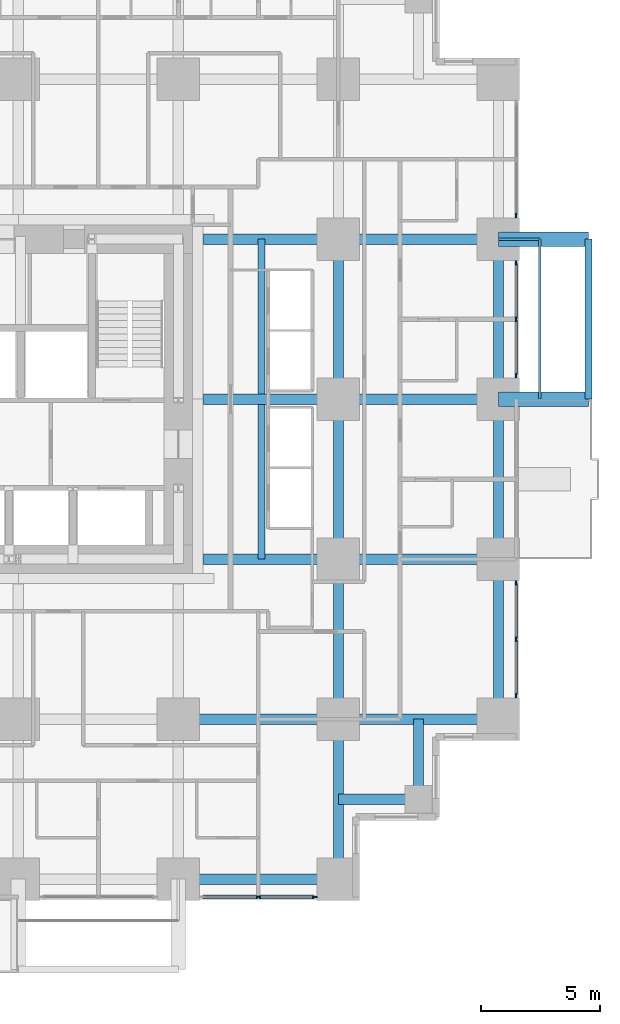
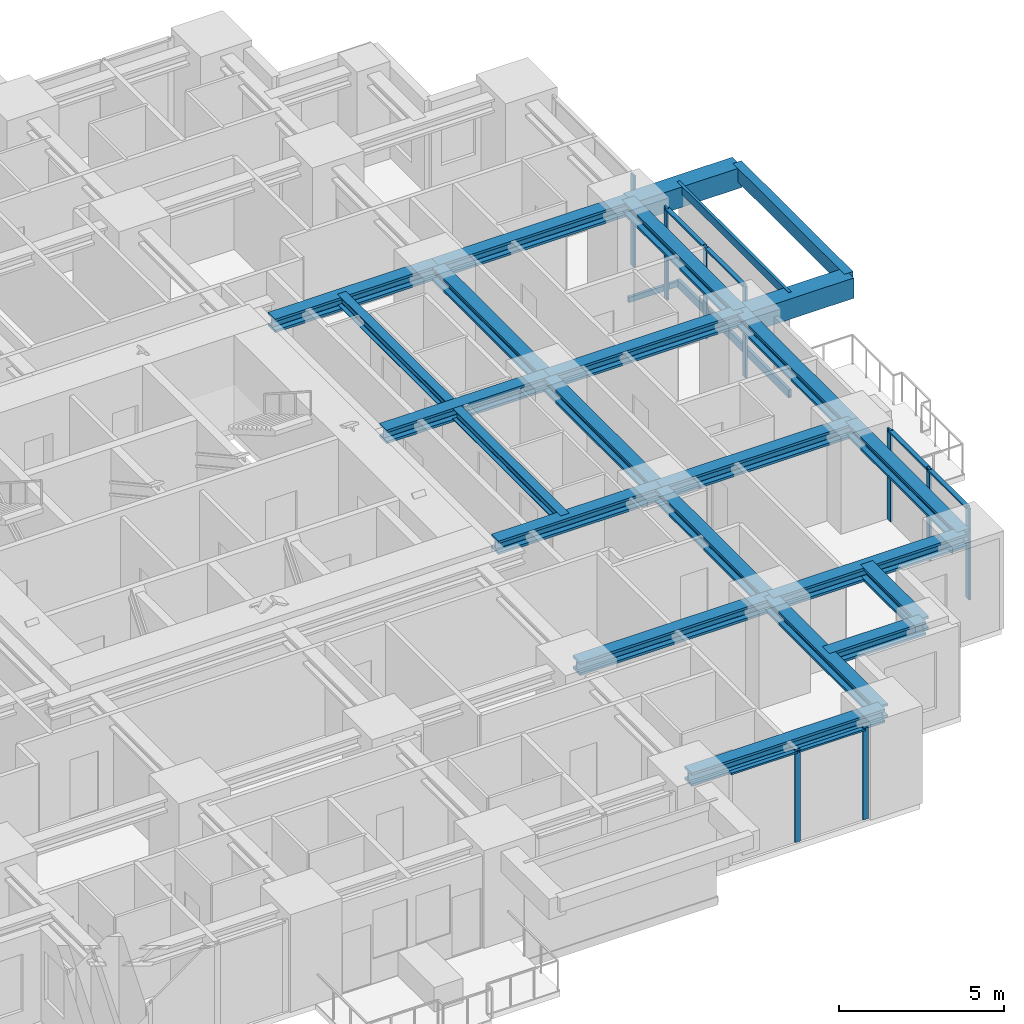
# One storey, part 4 of 14: 23 beams, 18 members, 4 elements without a shape of their own.
"""IFC4 building model written with IfcOpenShell, lengths in metres."""

from ifc_helpers import new_model, si_unit, direction, frame, origin, origin_2d, place, context, subcontext, project, spatial, rectangle, hollow_rectangle, i_section, extrude, material, material_profile, profile_set, type_object, element, aggregate, save


model = new_model("IFC4")

# Units and contexts
model_context = context("Model", 3, precision=1e-05, world=origin(), true_north=direction((0.0, 1.0)))
body_context = subcontext(model_context, "Body", "Model", "MODEL_VIEW")
ifc_project = project(units=[si_unit("LENGTHUNIT", "METRE"), si_unit("AREAUNIT", "SQUARE_METRE"), si_unit("VOLUMEUNIT", "CUBIC_METRE"), si_unit("PLANEANGLEUNIT", "RADIAN"), si_unit("MASSUNIT", "GRAM", prefix="KILO")], contexts=[model_context])

# Site, building, storey
site_placement = place(None, origin())
site = spatial("IfcSite", under=ifc_project, at=site_placement, CompositionType="ELEMENT")
building_placement = place(site_placement, origin())
building = spatial("IfcBuilding", under=site, at=building_placement, Name="Nyansa Garden Tower", CompositionType="ELEMENT")
storey_placement = place(building_placement, frame((0.0, 0.0, 54.0)))
storey = spatial("IfcBuildingStorey", under=building, at=storey_placement, Name="L14", CompositionType="ELEMENT", Elevation=54.0)

# Beams
ifc_material_1 = material(Name="Concrete C70/85", Category="concrete")
ifc_material_profile_1 = material_profile(ifc_material_1, rectangle(XDim=0.60009765625, YDim=0.75, at=origin_2d()), Name="RC 600x750")
ifc_profile_set_1 = profile_set([ifc_material_profile_1], Name="Concrete C70/85")
beam_type_1 = type_object("IfcBeamType", Name="Balcony cantilever beam CB1 RC 600x750", PredefinedType="BEAM", material=ifc_profile_set_1)
for number, where, z_axis, x_axis, name in (
    (1, (40.5, 20.25, 2.985107421875), (1.0, 0.0, 0.0), (0.0, 1.0, 0.0), "Balcony cantilever beam L15"),
    (2, (40.5, 27.0, 2.985107421875), (1.0, 0.0, 0.0), (0.0, 1.0, 0.0), "Balcony cantilever beam L15"),
):
    element("IfcBeam", number, at=place(storey_placement, frame(where, z_axis=z_axis, x_axis=x_axis)), inside=storey, type_object=beam_type_1, Name=name, PredefinedType="BEAM", context=body_context, shape_type="SweptSolid", body=[
        extrude(rectangle(XDim=0.60009765625, YDim=0.75, at=origin_2d()), origin(), (0.0, 0.0, 1.0), 3.800048828125),
    ])
ifc_material_2 = material(Name="Concrete C70/85", Category="concrete")
ifc_material_profile_2 = material_profile(ifc_material_2, rectangle(XDim=0.300048828125, YDim=0.5, at=origin_2d()), Name="RC 300x500")
ifc_profile_set_2 = profile_set([ifc_material_profile_2], Name="Concrete C70/85")
beam_type_2 = type_object("IfcBeamType", Name="Balcony edge beam BE1 RC 300x500", PredefinedType="BEAM", material=ifc_profile_set_2)
beam_1_placement = place(storey_placement, frame((44.300048828125, 20.25, 3.110107421875), z_axis=(0.0, 1.0, 0.0), x_axis=(-1.0, 0.0, 0.0)))
element("IfcBeam", 3, at=beam_1_placement, inside=storey, type_object=beam_type_2, Name="Balcony edge beam L15", PredefinedType="BEAM", context=body_context, shape_type="SweptSolid", body=[
    extrude(rectangle(XDim=0.300048828125, YDim=0.5, at=origin_2d()), origin(), (0.0, 0.0, 1.0), 6.75),
])

# Curtain wall, members
ifc_material_3 = material(Name="Black anodised aluminium, dark tinted double glazing", Category="aluminium")
curtain_wall_type = type_object("IfcCurtainWallType", Name="Inner skin curtain wall ISW-A", PredefinedType="USERDEFINED", material=ifc_material_3)
curtain_wall_1_placement = place(storey_placement, origin())
curtain_wall_1 = element("IfcCurtainWall", 4, at=curtain_wall_1_placement, inside=storey, type_object=curtain_wall_type, Name="Inner skin curtain wall L14 E", ObjectType="UNITISED CURTAIN WALL", PredefinedType="USERDEFINED")
ifc_material_4 = material(Name="Black anodised aluminium", Category="aluminium")
ifc_material_profile_3 = material_profile(ifc_material_4, rectangle(XDim=0.06494140625, YDim=0.199951171875, at=origin_2d()), Name="Mullion 200x65")
ifc_profile_set_3 = profile_set([ifc_material_profile_3], Name="Black anodised aluminium")
member_type_1 = type_object("IfcMemberType", Name="Mullion ISW-A 200x65", PredefinedType="MULLION", material=ifc_profile_set_3)
member_1_placement = place(storey_placement, frame((41.25, 7.75, 0.0), z_axis=(0.0, 0.0, 1.0), x_axis=(-1.0, 0.0, 0.0)))
member_1 = element("IfcMember", 5, at=member_1_placement, type_object=member_type_1, Name="ISW-A mullion 1", PredefinedType="MULLION", context=body_context, shape_type="SweptSolid", body=[
    extrude(rectangle(XDim=0.06494140625, YDim=0.199951171875, at=origin_2d()), origin(), (0.0, 0.0, 1.0), 3.375),
])
member_2_placement = place(storey_placement, frame((41.25, 10.125, 0.0), z_axis=(0.0, 0.0, 1.0), x_axis=(-1.0, 0.0, 0.0)))
member_2 = element("IfcMember", 6, at=member_2_placement, type_object=member_type_1, Name="ISW-A mullion 2", PredefinedType="MULLION", context=body_context, shape_type="SweptSolid", body=[
    extrude(rectangle(XDim=0.06494140625, YDim=0.199951171875, at=origin_2d()), origin(), (0.0, 0.0, 1.0), 3.375),
])
member_3_placement = place(storey_placement, frame((41.25, 12.5, 0.0), z_axis=(0.0, 0.0, 1.0), x_axis=(-1.0, 0.0, 0.0)))
member_3 = element("IfcMember", 7, at=member_3_placement, type_object=member_type_1, Name="ISW-A mullion 3", PredefinedType="MULLION", context=body_context, shape_type="SweptSolid", body=[
    extrude(rectangle(XDim=0.06494140625, YDim=0.199951171875, at=origin_2d()), origin(), (0.0, 0.0, 1.0), 3.375),
])

curtain_wall_2_placement = place(storey_placement, origin())
curtain_wall_2 = element("IfcCurtainWall", 8, at=curtain_wall_2_placement, inside=storey, type_object=curtain_wall_type, Name="Inner skin curtain wall L14 E", ObjectType="UNITISED CURTAIN WALL", PredefinedType="USERDEFINED")
member_4_placement = place(storey_placement, frame((41.25, 21.25, 0.0), z_axis=(0.0, 0.0, 1.0), x_axis=(-1.0, 0.0, 0.0)))
member_4 = element("IfcMember", 9, at=member_4_placement, type_object=member_type_1, Name="ISW-A mullion 1", PredefinedType="MULLION", context=body_context, shape_type="SweptSolid", body=[
    extrude(rectangle(XDim=0.06494140625, YDim=0.199951171875, at=origin_2d()), origin(), (0.0, 0.0, 1.0), 3.375),
])
member_5_placement = place(storey_placement, frame((41.25, 23.625, 0.0), z_axis=(0.0, 0.0, 1.0), x_axis=(-1.0, 0.0, 0.0)))
member_5 = element("IfcMember", 10, at=member_5_placement, type_object=member_type_1, Name="ISW-A mullion 2", PredefinedType="MULLION", context=body_context, shape_type="SweptSolid", body=[
    extrude(rectangle(XDim=0.06494140625, YDim=0.199951171875, at=origin_2d()), origin(), (0.0, 0.0, 1.0), 3.375),
])
member_6_placement = place(storey_placement, frame((41.25, 26.0, 0.0), z_axis=(0.0, 0.0, 1.0), x_axis=(-1.0, 0.0, 0.0)))
member_6 = element("IfcMember", 11, at=member_6_placement, type_object=member_type_1, Name="ISW-A mullion 3", PredefinedType="MULLION", context=body_context, shape_type="SweptSolid", body=[
    extrude(rectangle(XDim=0.06494140625, YDim=0.199951171875, at=origin_2d()), origin(), (0.0, 0.0, 1.0), 3.375),
])

# Curtain wall, member
curtain_wall_3_placement = place(storey_placement, origin())
curtain_wall_3 = element("IfcCurtainWall", 12, at=curtain_wall_3_placement, inside=storey, type_object=curtain_wall_type, Name="Inner skin curtain wall L14 E", ObjectType="UNITISED CURTAIN WALL", PredefinedType="USERDEFINED")
member_7_placement = place(storey_placement, frame((41.25, 28.0, 0.0), z_axis=(0.0, 0.0, 1.0), x_axis=(-1.0, 0.0, 0.0)))
member_7 = element("IfcMember", 13, at=member_7_placement, type_object=member_type_1, Name="ISW-A mullion 1", PredefinedType="MULLION", context=body_context, shape_type="SweptSolid", body=[
    extrude(rectangle(XDim=0.06494140625, YDim=0.199951171875, at=origin_2d()), origin(), (0.0, 0.0, 1.0), 3.375),
])
aggregate(curtain_wall_3, [member_7])

# Curtain wall, members
curtain_wall_4_placement = place(storey_placement, origin())
curtain_wall_4 = element("IfcCurtainWall", 14, at=curtain_wall_4_placement, inside=storey, type_object=curtain_wall_type, Name="Inner skin curtain wall L14 S", ObjectType="UNITISED CURTAIN WALL", PredefinedType="USERDEFINED")
member_8_placement = place(storey_placement, frame((30.375, -0.75, 0.0), z_axis=(0.0, 0.0, 1.0), x_axis=(0.0, 1.0, 0.0)))
member_8 = element("IfcMember", 15, at=member_8_placement, type_object=member_type_1, Name="ISW-A mullion 2", PredefinedType="MULLION", context=body_context, shape_type="SweptSolid", body=[
    extrude(rectangle(XDim=0.06494140625, YDim=0.199951171875, at=origin_2d()), origin(), (0.0, 0.0, 1.0), 3.375),
])
member_9_placement = place(storey_placement, frame((32.75, -0.75, 0.0), z_axis=(0.0, 0.0, 1.0), x_axis=(0.0, 1.0, 0.0)))
member_9 = element("IfcMember", 16, at=member_9_placement, type_object=member_type_1, Name="ISW-A mullion 3", PredefinedType="MULLION", context=body_context, shape_type="SweptSolid", body=[
    extrude(rectangle(XDim=0.06494140625, YDim=0.199951171875, at=origin_2d()), origin(), (0.0, 0.0, 1.0), 3.375),
])

# Members
ifc_material_5 = material(Name="Steel S355, black powder coated", Category="steel")
ifc_material_profile_4 = material_profile(ifc_material_5, hollow_rectangle(XDim=0.10009765625, YDim=0.199951171875, WallThickness=0.008056640625, at=origin_2d()), Name="RHS 200x100x8")
ifc_profile_set_4 = profile_set([ifc_material_profile_4], Name="Steel S355, black powder coated")
member_type_2 = type_object("IfcMemberType", Name="Outer skin bracket arm RHS 200x100x8", PredefinedType="USERDEFINED", material=ifc_profile_set_4)
member_10_placement = place(storey_placement, frame((40.5, 27.0, -0.375), z_axis=(1.0, 0.0, 0.0), x_axis=(0.0, 1.0, 0.0)))
element("IfcMember", 17, at=member_10_placement, inside=storey, type_object=member_type_2, Name="Outer skin bracket arm", ObjectType="OUTER SKIN BRACKET", PredefinedType="USERDEFINED", context=body_context, shape_type="SweptSolid", body=[
    extrude(hollow_rectangle(XDim=0.10009765625, YDim=0.199951171875, WallThickness=0.008056640625, at=origin_2d()), origin(), (0.0, 0.0, 1.0), 1.75),
])
ifc_material_6 = material(Name="Steel S355, black powder coated", Category="steel")
ifc_material_profile_5 = material_profile(ifc_material_6, hollow_rectangle(XDim=0.10009765625, YDim=0.300048828125, WallThickness=0.010009765625, at=origin_2d()), Name="RHS 300x100x10")
ifc_profile_set_5 = profile_set([ifc_material_profile_5], Name="Steel S355, black powder coated")
member_type_3 = type_object("IfcMemberType", Name="Outer skin rail RHS 300x100x10", PredefinedType="USERDEFINED", material=ifc_profile_set_5)
for number, where, z_axis, x_axis, name in (
    (18, (42.25, 20.25, -0.375), (0.0, 1.0, 0.0), (-1.0, 0.0, 0.0), "Outer skin rail L14"),
    (19, (42.25, 20.25, 3.22509765625), (0.0, 1.0, 0.0), (-1.0, 0.0, 0.0), "Outer skin rail L14 head"),
):
    element("IfcMember", number, at=place(storey_placement, frame(where, z_axis=z_axis, x_axis=x_axis)), inside=storey, type_object=member_type_3, Name=name, ObjectType="OUTER SKIN RAIL", PredefinedType="USERDEFINED", context=body_context, shape_type="SweptSolid", body=[
        extrude(hollow_rectangle(XDim=0.10009765625, YDim=0.300048828125, WallThickness=0.010009765625, at=origin_2d()), origin(), (0.0, 0.0, 1.0), 6.75),
    ])

# Beams
ifc_material_7 = material(Name="Steel S355", Category="steel")
ifc_material_profile_6 = material_profile(ifc_material_7, i_section(OverallWidth=0.431884765625, OverallDepth=0.498046875, WebThickness=0.0556640625, FlangeThickness=0.0888671875, FilletRadius=0.014892578125, at=origin_2d()), Name="HD 400x744")
ifc_profile_set_6 = profile_set([ifc_material_profile_6], Name="Steel S355")
beam_type_3 = type_object("IfcBeamType", Name="Steel beam SBA1-744 HD 400x744", PredefinedType="BEAM", material=ifc_profile_set_6)
beam_2_placement = place(storey_placement, frame((27.0, 6.75, 3.1259765625), z_axis=(1.0, 0.0, 0.0), x_axis=(0.0, 1.0, 0.0)))
element("IfcBeam", 20, at=beam_2_placement, inside=storey, type_object=beam_type_3, Name="Steel beam 6/E-7/E L15", PredefinedType="BEAM", context=body_context, shape_type="SweptSolid", body=[
    extrude(i_section(OverallWidth=0.431884765625, OverallDepth=0.498046875, WebThickness=0.0556640625, FlangeThickness=0.0888671875, FilletRadius=0.014892578125, at=origin_2d()), origin(), (0.0, 0.0, 1.0), 6.75),
])
for number, where, z_axis, x_axis, name in (
    (21, (28.050048828125, 13.5, 3.1259765625), (1.0, 0.0, 0.0), (0.0, 1.0, 0.0), "Steel beam 28.050/F-7/F L15"),
    (22, (28.050048828125, 20.25, 3.1259765625), (1.0, 0.0, 0.0), (0.0, 1.0, 0.0), "Steel beam 28.050/G-7/G L15"),
    (23, (28.050048828125, 27.0, 3.1259765625), (1.0, 0.0, 0.0), (0.0, 1.0, 0.0), "Steel beam 28.050/H-7/H L15"),
):
    element("IfcBeam", number, at=place(storey_placement, frame(where, z_axis=z_axis, x_axis=x_axis)), inside=storey, type_object=beam_type_3, Name=name, PredefinedType="BEAM", context=body_context, shape_type="SweptSolid", body=[
        extrude(i_section(OverallWidth=0.431884765625, OverallDepth=0.498046875, WebThickness=0.0556640625, FlangeThickness=0.0888671875, FilletRadius=0.014892578125, at=origin_2d()), origin(), (0.0, 0.0, 1.0), 5.699951171875),
    ])
for number, where, z_axis, x_axis, name in (
    (24, (33.75, 0.0, 3.1259765625), (0.0, 1.0, 0.0), (-1.0, 0.0, 0.0), "Steel beam 7/D-7/E L15"),
    (25, (33.75, 6.75, 3.1259765625), (0.0, 1.0, 0.0), (-1.0, 0.0, 0.0), "Steel beam 7/E-7/F L15"),
    (26, (33.75, 6.75, 3.1259765625), (1.0, 0.0, 0.0), (0.0, 1.0, 0.0), "Steel beam 7/E-8/E L15"),
    (27, (33.75, 13.5, 3.1259765625), (0.0, 1.0, 0.0), (-1.0, 0.0, 0.0), "Steel beam 7/F-7/G L15"),
    (28, (33.75, 13.5, 3.1259765625), (1.0, 0.0, 0.0), (0.0, 1.0, 0.0), "Steel beam 7/F-8/F L15"),
    (29, (33.75, 20.25, 3.1259765625), (0.0, 1.0, 0.0), (-1.0, 0.0, 0.0), "Steel beam 7/G-7/H L15"),
    (30, (33.75, 20.25, 3.1259765625), (1.0, 0.0, 0.0), (0.0, 1.0, 0.0), "Steel beam 7/G-8/G L15"),
    (31, (33.75, 27.0, 3.1259765625), (1.0, 0.0, 0.0), (0.0, 1.0, 0.0), "Steel beam 7/H-8/H L15"),
):
    element("IfcBeam", number, at=place(storey_placement, frame(where, z_axis=z_axis, x_axis=x_axis)), inside=storey, type_object=beam_type_3, Name=name, PredefinedType="BEAM", context=body_context, shape_type="SweptSolid", body=[
        extrude(i_section(OverallWidth=0.431884765625, OverallDepth=0.498046875, WebThickness=0.0556640625, FlangeThickness=0.0888671875, FilletRadius=0.014892578125, at=origin_2d()), origin(), (0.0, 0.0, 1.0), 6.75),
    ])
ifc_material_8 = material(Name="Steel S355", Category="steel")
ifc_material_profile_7 = material_profile(ifc_material_8, i_section(OverallWidth=0.431884765625, OverallDepth=0.498046875, WebThickness=0.0556640625, FlangeThickness=0.0888671875, FilletRadius=0.014892578125, at=origin_2d()), Name="HD 400x744")
ifc_profile_set_7 = profile_set([ifc_material_profile_7], Name="Steel S355")
beam_type_4 = type_object("IfcBeamType", Name="Steel beam SEBA-744 HD 400x744", PredefinedType="BEAM", material=ifc_profile_set_7)
for number, where, z_axis, x_axis, name in (
    (32, (27.0, 0.0, 3.1259765625), (1.0, 0.0, 0.0), (0.0, 1.0, 0.0), "Steel edge beam 6/D-7/D L15"),
    (33, (40.5, 6.75, 3.1259765625), (0.0, 1.0, 0.0), (-1.0, 0.0, 0.0), "Steel edge beam 8/E-8/F L15"),
    (34, (40.5, 13.5, 3.1259765625), (0.0, 1.0, 0.0), (-1.0, 0.0, 0.0), "Steel edge beam 8/F-8/G L15"),
    (35, (40.5, 20.25, 3.1259765625), (0.0, 1.0, 0.0), (-1.0, 0.0, 0.0), "Steel edge beam 8/G-8/H L15"),
):
    element("IfcBeam", number, at=place(storey_placement, frame(where, z_axis=z_axis, x_axis=x_axis)), inside=storey, type_object=beam_type_4, Name=name, PredefinedType="BEAM", context=body_context, shape_type="SweptSolid", body=[
        extrude(i_section(OverallWidth=0.431884765625, OverallDepth=0.498046875, WebThickness=0.0556640625, FlangeThickness=0.0888671875, FilletRadius=0.014892578125, at=origin_2d()), origin(), (0.0, 0.0, 1.0), 6.75),
    ])
ifc_material_9 = material(Name="Steel S355", Category="steel")
ifc_material_profile_8 = material_profile(ifc_material_9, i_section(OverallWidth=0.431884765625, OverallDepth=0.498046875, WebThickness=0.0556640625, FlangeThickness=0.0888671875, FilletRadius=0.014892578125, at=origin_2d()), Name="HD 400x744")
ifc_profile_set_8 = profile_set([ifc_material_profile_8], Name="Steel S355")
beam_type_5 = type_object("IfcBeamType", Name="Steel beam SSB1-744 HD 400x744", PredefinedType="BEAM", material=ifc_profile_set_8)
for number, where, z_axis, x_axis, name in (
    (36, (37.125, 3.375, 3.1259765625), (0.0, 1.0, 0.0), (-1.0, 0.0, 0.0), "Steel step beam 37.125/3.375 L15"),
    (37, (37.125, 3.375, 3.1259765625), (-1.0, 0.0, 0.0), (0.0, -1.0, 0.0), "Steel step beam 37.125/3.375 L15"),
):
    element("IfcBeam", number, at=place(storey_placement, frame(where, z_axis=z_axis, x_axis=x_axis)), inside=storey, type_object=beam_type_5, Name=name, PredefinedType="BEAM", context=body_context, shape_type="SweptSolid", body=[
        extrude(i_section(OverallWidth=0.431884765625, OverallDepth=0.498046875, WebThickness=0.0556640625, FlangeThickness=0.0888671875, FilletRadius=0.014892578125, at=origin_2d()), origin(), (0.0, 0.0, 1.0), 3.375),
    ])

# Member
ifc_material_10 = material(Name="Black anodised aluminium", Category="aluminium")
ifc_material_profile_9 = material_profile(ifc_material_10, rectangle(XDim=0.14990234375, YDim=0.06494140625, at=origin_2d()), Name="Transom 150x65")
ifc_profile_set_9 = profile_set([ifc_material_profile_9], Name="Black anodised aluminium")
member_type_4 = type_object("IfcMemberType", Name="Transom ISW-A 150x65", PredefinedType="USERDEFINED", material=ifc_profile_set_9)
member_11_placement = place(storey_placement, frame((41.25, 7.782470703125, 3.342529296875), z_axis=(0.0, 1.0, 0.0), x_axis=(-1.0, 0.0, 0.0)))
member_11 = element("IfcMember", 38, at=member_11_placement, type_object=member_type_4, Name="ISW-A transom 1", ObjectType="TRANSOM", PredefinedType="USERDEFINED", context=body_context, shape_type="SweptSolid", body=[
    extrude(rectangle(XDim=0.14990234375, YDim=0.06494140625, at=origin_2d()), origin(), (0.0, 0.0, 1.0), 2.31005859375),
])

member_12_placement = place(storey_placement, frame((41.25, 10.157470703125, 3.342529296875), z_axis=(0.0, 1.0, 0.0), x_axis=(-1.0, 0.0, 0.0)))
member_12 = element("IfcMember", 39, at=member_12_placement, type_object=member_type_4, Name="ISW-A transom 2", ObjectType="TRANSOM", PredefinedType="USERDEFINED", context=body_context, shape_type="SweptSolid", body=[
    extrude(rectangle(XDim=0.14990234375, YDim=0.06494140625, at=origin_2d()), origin(), (0.0, 0.0, 1.0), 2.31005859375),
])

aggregate(curtain_wall_1, [member_1, member_2, member_3, member_11, member_12])

member_13_placement = place(storey_placement, frame((41.25, 21.282470703125, 3.342529296875), z_axis=(0.0, 1.0, 0.0), x_axis=(-1.0, 0.0, 0.0)))
member_13 = element("IfcMember", 40, at=member_13_placement, type_object=member_type_4, Name="ISW-A transom 1", ObjectType="TRANSOM", PredefinedType="USERDEFINED", context=body_context, shape_type="SweptSolid", body=[
    extrude(rectangle(XDim=0.14990234375, YDim=0.06494140625, at=origin_2d()), origin(), (0.0, 0.0, 1.0), 2.31005859375),
])

member_14_placement = place(storey_placement, frame((41.25, 23.657470703125, 3.342529296875), z_axis=(0.0, 1.0, 0.0), x_axis=(-1.0, 0.0, 0.0)))
member_14 = element("IfcMember", 41, at=member_14_placement, type_object=member_type_4, Name="ISW-A transom 2", ObjectType="TRANSOM", PredefinedType="USERDEFINED", context=body_context, shape_type="SweptSolid", body=[
    extrude(rectangle(XDim=0.14990234375, YDim=0.06494140625, at=origin_2d()), origin(), (0.0, 0.0, 1.0), 2.31005859375),
])

aggregate(curtain_wall_2, [member_4, member_5, member_6, member_13, member_14])

member_15_placement = place(storey_placement, frame((28.032470703125, -0.75, 3.342529296875), z_axis=(1.0, 0.0, 0.0), x_axis=(0.0, 1.0, 0.0)))
member_15 = element("IfcMember", 42, at=member_15_placement, type_object=member_type_4, Name="ISW-A transom 1", ObjectType="TRANSOM", PredefinedType="USERDEFINED", context=body_context, shape_type="SweptSolid", body=[
    extrude(rectangle(XDim=0.14990234375, YDim=0.06494140625, at=origin_2d()), origin(), (0.0, 0.0, 1.0), 2.31005859375),
])

member_16_placement = place(storey_placement, frame((30.407470703125, -0.75, 3.342529296875), z_axis=(1.0, 0.0, 0.0), x_axis=(0.0, 1.0, 0.0)))
member_16 = element("IfcMember", 43, at=member_16_placement, type_object=member_type_4, Name="ISW-A transom 2", ObjectType="TRANSOM", PredefinedType="USERDEFINED", context=body_context, shape_type="SweptSolid", body=[
    extrude(rectangle(XDim=0.14990234375, YDim=0.06494140625, at=origin_2d()), origin(), (0.0, 0.0, 1.0), 2.31005859375),
])

aggregate(curtain_wall_4, [member_8, member_9, member_15, member_16])

# Beams
ifc_material_11 = material(Name="Steel S355", Category="steel")
ifc_material_profile_10 = material_profile(ifc_material_11, i_section(OverallWidth=0.300048828125, OverallDepth=0.39990234375, WebThickness=0.013427734375, FlangeThickness=0.02392578125, FilletRadius=0.027099609375, at=origin_2d()), Name="HE 400 B")
ifc_profile_set_10 = profile_set([ifc_material_profile_10], Name="Steel S355")
beam_type_6 = type_object("IfcBeamType", Name="Trimmer beam TR1 HE 400 B", PredefinedType="BEAM", material=ifc_profile_set_10)
for number, where, z_axis, x_axis, name in (
    (44, (30.5, 13.5, 3.175048828125), (0.0, 1.0, 0.0), (-1.0, 0.0, 0.0), "Trimmer beam 1 L15"),
    (45, (30.5, 20.466064453125, 3.175048828125), (0.0, 1.0, 0.0), (-1.0, 0.0, 0.0), "Trimmer beam 2 L15"),
):
    element("IfcBeam", number, at=place(storey_placement, frame(where, z_axis=z_axis, x_axis=x_axis)), inside=storey, type_object=beam_type_6, Name=name, PredefinedType="BEAM", context=body_context, shape_type="SweptSolid", body=[
        extrude(i_section(OverallWidth=0.300048828125, OverallDepth=0.39990234375, WebThickness=0.013427734375, FlangeThickness=0.02392578125, FilletRadius=0.027099609375, at=origin_2d()), origin(), (0.0, 0.0, 1.0), 6.533935546875),
    ])

save(model, "model.ifc")
